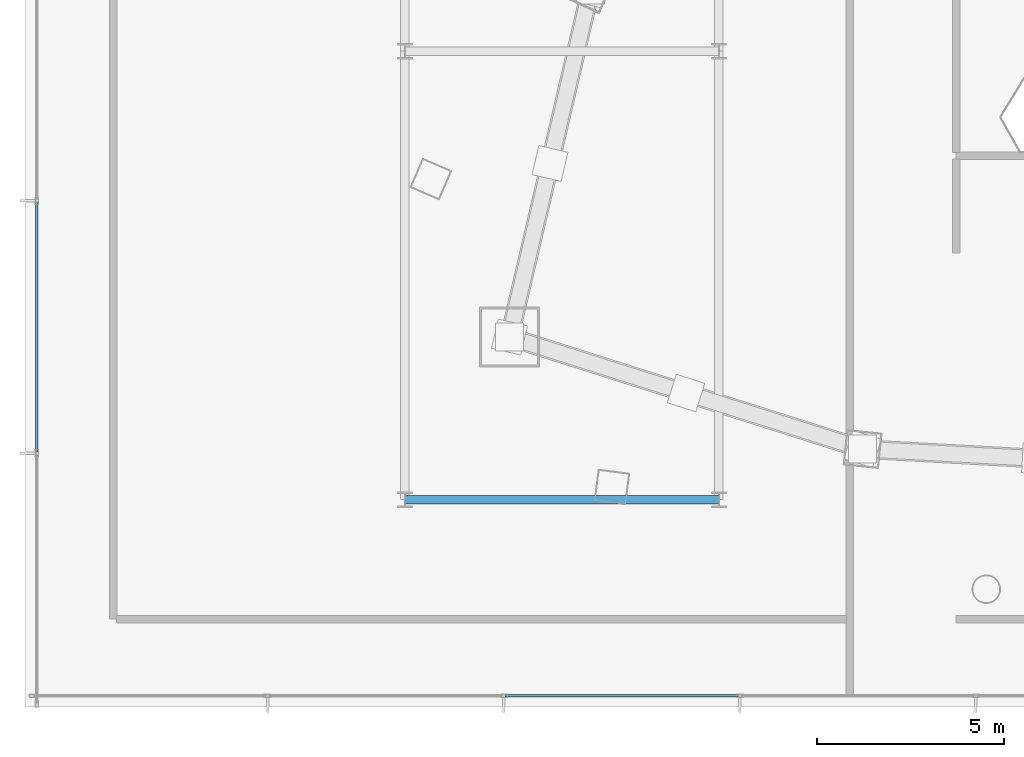
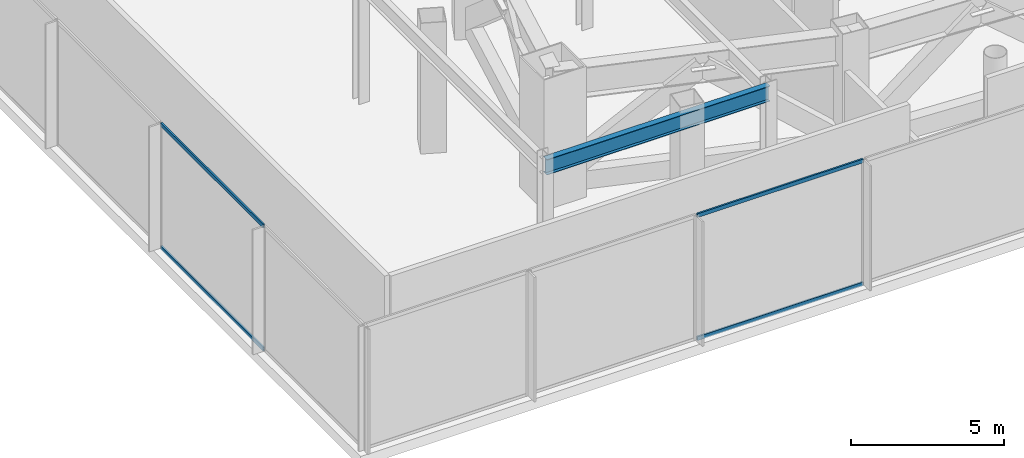
# One storey, part 3 of 43: 4 members, 1 beam, 2 elements without a shape of their own.
"""IFC4 building model written with IfcOpenShell, lengths in metres."""

from ifc_helpers import new_model, si_unit, direction, frame, origin, origin_2d, place, context, subcontext, project, spatial, hollow_rectangle, i_section, extrude, material, layer, layer_set, material_profile, profile_set, type_object, element, aggregate, save


model = new_model("IFC4")

# Units and contexts
model_context = context("Model", 3, precision=1e-05, world=origin(), true_north=direction((0.0, 1.0)))
body_context = subcontext(model_context, "Body", "Model", "MODEL_VIEW")
ifc_project = project(units=[si_unit("LENGTHUNIT", "METRE"), si_unit("AREAUNIT", "SQUARE_METRE"), si_unit("VOLUMEUNIT", "CUBIC_METRE"), si_unit("PLANEANGLEUNIT", "RADIAN"), si_unit("MASSUNIT", "GRAM", prefix="KILO")], contexts=[model_context])

# Site, building, storey
site_placement = place(None, origin())
site = spatial("IfcSite", under=ifc_project, at=site_placement, CompositionType="ELEMENT")
building_placement = place(site_placement, origin())
building = spatial("IfcBuilding", under=site, at=building_placement, Name="Orvanel Arch Residences", CompositionType="ELEMENT")
storey_placement = place(building_placement, frame((0.0, 0.0, 18.39990234375)))
storey = spatial("IfcBuildingStorey", under=building, at=storey_placement, Name="L04", CompositionType="ELEMENT", Elevation=18.39990234375)

# Beam
ifc_material_1 = material(Name="Structural steel AS/NZS 3679.1 Grade 300 (300 MPa)", Category="steel")
ifc_material_profile_1 = material_profile(ifc_material_1, i_section(OverallWidth=0.22900390625, OverallDepth=0.612060546875, WebThickness=0.011962890625, FlangeThickness=0.01953125, at=origin_2d()), Name="610UB125")
ifc_profile_set_1 = profile_set([ifc_material_profile_1], Name="Structural steel AS/NZS 3679.1 Grade 300 (300 MPa)")
beam_type = type_object("IfcBeamType", Name="BG-610UB", PredefinedType="BEAM", material=ifc_profile_set_1)
beam_placement = place(storey_placement, frame((11.39990234375, 6.0, 4.654052734375), z_axis=(1.0, 0.0, 0.0), x_axis=(0.0, 1.0, 0.0)))
element("IfcBeam", 1, at=beam_placement, inside=storey, type_object=beam_type, Name="L04 BG-610UB beam", PredefinedType="BEAM", context=body_context, shape_type="SweptSolid", body=[
    extrude(i_section(OverallWidth=0.22900390625, OverallDepth=0.612060546875, WebThickness=0.011962890625, FlangeThickness=0.01953125, at=origin_2d()), origin(), (0.0, 0.0, 1.0), 8.400146484375),
])

# Curtain wall, members
ifc_material_2 = material(Name="Bronze-anodised aluminium AA6063-T6", Category="aluminium")
ifc_layer = layer(ifc_material_2, 0.199951171875)
ifc_layer_set = layer_set([ifc_layer], Name="Bronze-anodised aluminium AA6063-T6")
curtain_wall_type = type_object("IfcCurtainWallType", Name="CW1-POD-SYS", PredefinedType="NOTDEFINED", material=ifc_layer_set)
curtain_wall_1_placement = place(storey_placement, origin())
curtain_wall_1 = element("IfcCurtainWall", 2, at=curtain_wall_1_placement, inside=storey, type_object=curtain_wall_type, Name="L04 CW1-POD-SYS Unitised Curtain Wall", PredefinedType="NOTDEFINED")
ifc_material_profile_2 = material_profile(ifc_material_2, hollow_rectangle(XDim=0.06494140625, YDim=0.14990234375, WallThickness=0.00390625, at=origin_2d()), Name="ALU150x65x4")
ifc_profile_set_2 = profile_set([ifc_material_profile_2], Name="Bronze-anodised aluminium AA6063-T6")
member_type = type_object("IfcMemberType", Name="TRN-150x65", PredefinedType="USERDEFINED", material=ifc_profile_set_2)
member_1_placement = place(storey_placement, frame((14.08349609375, 0.75, 0.03271484375), z_axis=(1.0, 0.0, 0.0), x_axis=(0.0, 1.0, 0.0)))
member_1 = element("IfcMember", 3, at=member_1_placement, type_object=member_type, Name="CW-S1 transom 3.1", ObjectType="TRANSOM", PredefinedType="USERDEFINED", context=body_context, shape_type="SweptSolid", body=[
    extrude(hollow_rectangle(XDim=0.06494140625, YDim=0.14990234375, WallThickness=0.00390625, at=origin_2d()), origin(), (0.0, 0.0, 1.0), 6.242919921875),
])
member_2_placement = place(storey_placement, frame((14.08349609375, 0.75, 4.927490234375), z_axis=(1.0, 0.0, 0.0), x_axis=(0.0, 1.0, 0.0)))
member_2 = element("IfcMember", 4, at=member_2_placement, type_object=member_type, Name="CW-S1 transom 3.2", ObjectType="TRANSOM", PredefinedType="USERDEFINED", context=body_context, shape_type="SweptSolid", body=[
    extrude(hollow_rectangle(XDim=0.06494140625, YDim=0.14990234375, WallThickness=0.00390625, at=origin_2d()), origin(), (0.0, 0.0, 1.0), 6.242919921875),
])
aggregate(curtain_wall_1, [member_1, member_2])

curtain_wall_2_placement = place(storey_placement, origin())
curtain_wall_2 = element("IfcCurtainWall", 5, at=curtain_wall_2_placement, inside=storey, type_object=curtain_wall_type, Name="L04 CW1-POD-SYS Unitised Curtain Wall", PredefinedType="NOTDEFINED")
member_3_placement = place(storey_placement, frame((1.550048828125, 13.95751953125, 0.03271484375), z_axis=(0.0, -1.0, 0.0), x_axis=(1.0, 0.0, 0.0)))
member_3 = element("IfcMember", 6, at=member_3_placement, type_object=member_type, Name="CW-S1 transom 7.1", ObjectType="TRANSOM", PredefinedType="USERDEFINED", context=body_context, shape_type="SweptSolid", body=[
    extrude(hollow_rectangle(XDim=0.06494140625, YDim=0.14990234375, WallThickness=0.00390625, at=origin_2d()), origin(), (0.0, 0.0, 1.0), 6.677490234375),
])
member_4_placement = place(storey_placement, frame((1.550048828125, 13.95751953125, 4.927490234375), z_axis=(0.0, -1.0, 0.0), x_axis=(1.0, 0.0, 0.0)))
member_4 = element("IfcMember", 7, at=member_4_placement, type_object=member_type, Name="CW-S1 transom 7.2", ObjectType="TRANSOM", PredefinedType="USERDEFINED", context=body_context, shape_type="SweptSolid", body=[
    extrude(hollow_rectangle(XDim=0.06494140625, YDim=0.14990234375, WallThickness=0.00390625, at=origin_2d()), origin(), (0.0, 0.0, 1.0), 6.677490234375),
])
aggregate(curtain_wall_2, [member_3, member_4])

save(model, "model.ifc")
